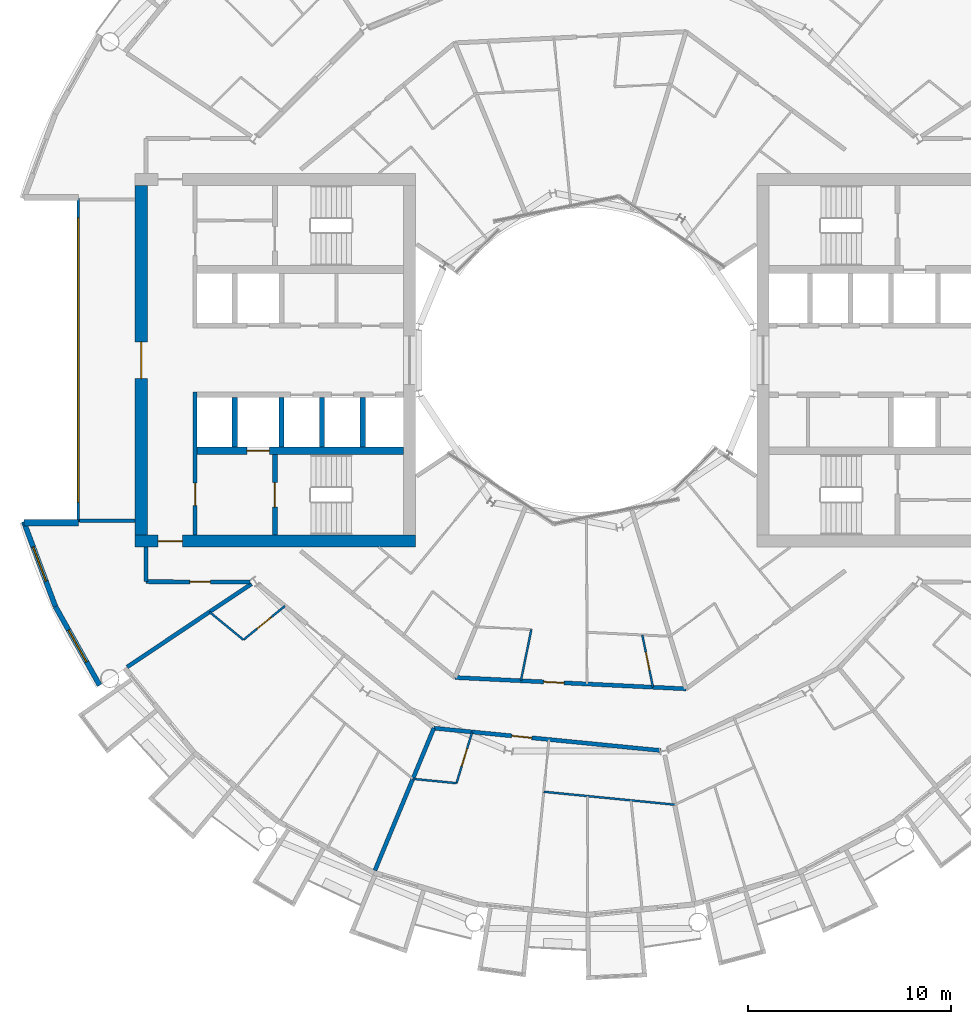
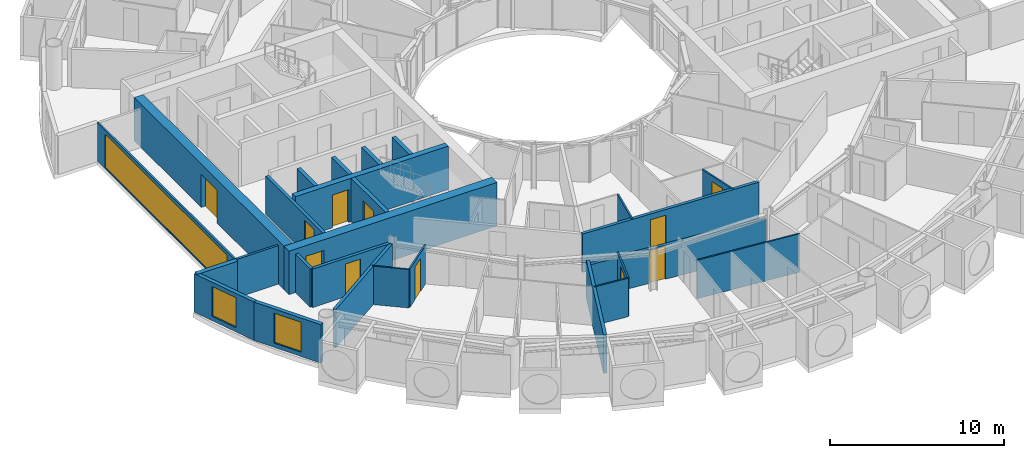
# One storey, part 15 of 27: 27 walls, 11 doors, 3 windows, 14 openings.
"""IFC4 building model written with IfcOpenShell, lengths in metres."""

import ifcopenshell
import ifcopenshell.guid

model = None  # the IFC model being written
_history = None  # IfcOwnerHistory: only IFC2X3 demands one
_inside = {}  # id of a spatial element -> (the spatial element, [elements in it])
_under = {}  # id of a project, library or spatial element -> (it, [spatial elements below it])
_declared = {}  # id of a project -> (the project, [libraries it declares])
_typed = {}  # id of a type object -> (the type object, [elements of that type])
_made_of = {}  # id of a material, layer set ... -> (it, [elements and type objects made of it])


def new_model(schema):
    """Start an empty IFC model of exactly this schema.

    Asked for "IFC4X3", IfcOpenShell would pick the latest addendum, in which some entities
    have other attributes; the version numbers below select the first issue.
    IFC2X3 requires an IfcOwnerHistory on every rooted entity: one is made here for all.
    """
    global model, _history
    if schema == "IFC4X3":
        model = ifcopenshell.file(schema_version=(4, 3, 0, 0))
    else:
        model = ifcopenshell.file(schema=schema)
    _inside.clear()
    _under.clear()
    _declared.clear()
    _typed.clear()
    _made_of.clear()
    _history = None
    if model.schema == "IFC2X3":
        org = make("IfcOrganization", Name="unknown")
        user = make(
            "IfcPersonAndOrganization",
            ThePerson=make("IfcPerson", FamilyName="unknown"),
            TheOrganization=org,
        )
        app = make(
            "IfcApplication",
            ApplicationDeveloper=org,
            Version="unknown",
            ApplicationFullName="unknown",
            ApplicationIdentifier="unknown",
        )
        _history = make(
            "IfcOwnerHistory",
            OwningUser=user,
            OwningApplication=app,
            ChangeAction="ADDED",
            CreationDate=0,
        )
    return model


def make(cls, **values):
    """One entity of the class cls with the attributes given. An attribute that is None is left unset."""
    return model.create_entity(
        cls, **{name: value for name, value in values.items() if value is not None}
    )


def rooted(cls, **values):
    """An entity with a GlobalId (a new one), such as an element, a storey or a relation."""
    return make(cls, GlobalId=ifcopenshell.guid.new(), OwnerHistory=_history, **values)


def si_unit(unit_type, name, prefix=None):
    """IfcSIUnit, for example si_unit("LENGTHUNIT", "METRE", prefix="MILLI")."""
    return make("IfcSIUnit", UnitType=unit_type, Prefix=prefix, Name=name)


def assignment(units):
    """IfcUnitAssignment: the units of a project."""
    return None if units is None else make("IfcUnitAssignment", Units=units)


def point(xyz):
    """IfcCartesianPoint."""
    return None if xyz is None else make("IfcCartesianPoint", Coordinates=xyz)


def direction(xyz):
    """IfcDirection."""
    return None if xyz is None else make("IfcDirection", DirectionRatios=xyz)


def frame(location, z_axis=None, x_axis=None):
    """IfcAxis2Placement3D, a coordinate frame: its origin and axes. An axis left out is left unset."""
    return make(
        "IfcAxis2Placement3D",
        Location=point(location),
        Axis=direction(z_axis),
        RefDirection=direction(x_axis),
    )


def frame_2d(location, x_axis=None):
    """IfcAxis2Placement2D, a coordinate frame in the plane: its origin and x axis."""
    return make(
        "IfcAxis2Placement2D", Location=point(location), RefDirection=direction(x_axis)
    )


def origin():
    """The frame at (0, 0, 0) with its axes left unset."""
    return frame((0.0, 0.0, 0.0))


def place(relative_to, where):
    """IfcLocalPlacement: puts the frame where relative to a parent placement (None: the world)."""
    return make(
        "IfcLocalPlacement", PlacementRelTo=relative_to, RelativePlacement=where
    )


def context(
    kind, dimensions, precision=None, world=None, true_north=None, identifier=None
):
    """IfcGeometricRepresentationContext, for example the 3D "Model" context."""
    return make(
        "IfcGeometricRepresentationContext",
        ContextIdentifier=identifier,
        ContextType=kind,
        CoordinateSpaceDimension=dimensions,
        Precision=precision,
        WorldCoordinateSystem=world,
        TrueNorth=true_north,
    )


def subcontext(parent, identifier, kind, view, scale=None):
    """IfcGeometricRepresentationSubContext, for example "Body" below "Model"."""
    return make(
        "IfcGeometricRepresentationSubContext",
        ContextIdentifier=identifier,
        ContextType=kind,
        ParentContext=parent,
        TargetScale=scale,
        TargetView=view,
    )


def project(units=None, contexts=None):
    """IfcProject with its units and contexts."""
    return rooted(
        "IfcProject",
        Name="project",
        RepresentationContexts=contexts,
        UnitsInContext=assignment(units),
    )


def spatial(cls, under=None, at=None, **own):
    """A site, building, storey or space (cls), placed at a placement, below another one or the project."""
    s = rooted(cls, ObjectPlacement=at, **own)
    if under is not None:
        _under.setdefault(under.id(), (under, []))[1].append(s)
    return s


def profile(cls, at=None, kind="AREA", **sizes):
    """A parametric profile (cls). Its sizes go by their IFC names, for example OverallWidth=200.0."""
    return make(cls, ProfileType=kind, Position=at, **sizes)


def rectangle(**sizes):
    """IfcRectangleProfileDef."""
    return profile("IfcRectangleProfileDef", **sizes)


def extrude(swept, where, along, depth):
    """IfcExtrudedAreaSolid: the profile swept, set in the frame where, extruded along a direction by depth."""
    return make(
        "IfcExtrudedAreaSolid",
        SweptArea=swept,
        Position=where,
        ExtrudedDirection=direction(along),
        Depth=depth,
    )


def shape(context_of_items, identifier, shape_type, items):
    """IfcShapeRepresentation: the items that make up one representation, for example the "Body"."""
    return make(
        "IfcShapeRepresentation",
        ContextOfItems=context_of_items,
        RepresentationIdentifier=identifier,
        RepresentationType=shape_type,
        Items=items,
    )


def material(Name=None, Category=None):
    """IfcMaterial."""
    return make("IfcMaterial", Name=Name, Category=Category)


def layer(
    of_material, thickness, ventilated=None, Name=None, Category=None, Priority=None
):
    """IfcMaterialLayer: one layer of a wall or slab, of a material (None: an air gap)."""
    return make(
        "IfcMaterialLayer",
        Material=of_material,
        LayerThickness=thickness,
        IsVentilated=ventilated,
        Name=Name,
        Category=Category,
        Priority=Priority,
    )


def layer_set(layers, Name=None):
    """IfcMaterialLayerSet."""
    return make("IfcMaterialLayerSet", MaterialLayers=layers, LayerSetName=Name)


def made_of(thing, what):
    """Note that an element or type object is made of a material, layer set ...; save() writes the relation."""
    if what is not None:
        _made_of.setdefault(what.id(), (what, []))[1].append(thing)
    return thing


def type_object(cls, material=None, **own):
    """A type object (cls), such as IfcWallType, which elements share."""
    return made_of(rooted(cls, **own), material)


def element(
    cls,
    number,
    at=None,
    inside=None,
    cuts=None,
    type_object=None,
    material=None,
    context=None,
    identifier="Body",
    shape_type=None,
    held_by="IfcProductDefinitionShape",
    body=None,
    shapes=None,
    **own,
):
    """One element of the class cls, such as IfcWall. Its Tag is "e" and its number.

    at: its placement. inside: the storey or other place that contains it. cuts: it is an
    opening in that element (IfcRelVoidsElement). A single representation is given by context,
    identifier, shape_type and body (its items); several are given by shapes. held_by: the class
    of the entity that holds the representations. save() writes the other relations.
    """
    e = rooted(cls, Tag="e%d" % number, ObjectPlacement=at, **own)
    if body is not None:
        shapes = [shape(context, identifier, shape_type, body)]
    if shapes is not None:
        e.Representation = make(held_by, Representations=shapes)
    if inside is not None:
        _inside.setdefault(inside.id(), (inside, []))[1].append(e)
    if cuts is not None:
        rooted(
            "IfcRelVoidsElement", RelatingBuildingElement=cuts, RelatedOpeningElement=e
        )
    if type_object is not None:
        _typed.setdefault(type_object.id(), (type_object, []))[1].append(e)
    return made_of(e, material)


def fill(opening, filler):
    """IfcRelFillsElement: the door or window that sits in an opening."""
    return rooted(
        "IfcRelFillsElement",
        RelatingOpeningElement=opening,
        RelatedBuildingElement=filler,
    )


def aggregate(whole, parts):
    """IfcRelAggregates: a whole, such as a stair, and the parts it consists of."""
    return rooted("IfcRelAggregates", RelatingObject=whole, RelatedObjects=parts)


def save(model, path):
    """Write the relations noted so far, then the file.

    IfcRelAggregates (storeys below a building ...), IfcRelContainedInSpatialStructure (elements
    in a storey), IfcRelDefinesByType, IfcRelAssociatesMaterial and IfcRelDeclares: one each for
    every whole, place, type object, material and project.
    """
    for whole, parts in _under.values():
        aggregate(whole, parts)
    for where, things in _inside.values():
        rooted(
            "IfcRelContainedInSpatialStructure",
            RelatedElements=things,
            RelatingStructure=where,
        )
    for kind, things in _typed.values():
        rooted("IfcRelDefinesByType", RelatedObjects=things, RelatingType=kind)
    for what, things in _made_of.values():
        rooted("IfcRelAssociatesMaterial", RelatedObjects=things, RelatingMaterial=what)
    for by, libraries in _declared.values():
        rooted("IfcRelDeclares", RelatingContext=by, RelatedDefinitions=libraries)
    model.write(path)


model = new_model("IFC4")

# Units and contexts
model_context = context("Model", 3, precision=1e-05, world=origin(), true_north=direction((0.0, 1.0)))
body_context = subcontext(model_context, "Body", "Model", "MODEL_VIEW")
ifc_project = project(units=[si_unit("LENGTHUNIT", "METRE"), si_unit("AREAUNIT", "SQUARE_METRE"), si_unit("VOLUMEUNIT", "CUBIC_METRE"), si_unit("PLANEANGLEUNIT", "RADIAN"), si_unit("MASSUNIT", "GRAM", prefix="KILO")], contexts=[model_context])

# Site, building, storey
site_placement = place(None, origin())
site = spatial("IfcSite", under=ifc_project, at=site_placement, CompositionType="ELEMENT")
building_placement = place(site_placement, origin())
building = spatial("IfcBuilding", under=site, at=building_placement, Name="Maasbend Ring Residences", CompositionType="ELEMENT")
storey_placement = place(building_placement, frame((0.0, 0.0, 114.699951171875)))
storey = spatial("IfcBuildingStorey", under=building, at=storey_placement, Name="L32", CompositionType="ELEMENT", Elevation=114.699951171875)

# Wall, opening, door
ifc_material_1 = material(Name="Concrete C60/75", Category="concrete")
ifc_layer_1 = layer(ifc_material_1, 0.25)
ifc_layer_set_1 = layer_set([ifc_layer_1], Name="Concrete C60/75")
wall_type_1 = type_object("IfcWallType", Name="CORE WALL 250 C60/75", PredefinedType="SHEAR", material=ifc_layer_set_1)
wall_1_placement = place(storey_placement, frame((-15.324951171875, -4.64990234375, 0.0), z_axis=(0.0, 0.0, 1.0), x_axis=(0.0, -1.0, 0.0)))
wall_1 = element("IfcWall", 1, at=wall_1_placement, inside=storey, type_object=wall_type_1, Name="L32 core W wall STEN", PredefinedType="SHEAR", context=body_context, shape_type="SweptSolid", body=[
    extrude(rectangle(XDim=3.9501953125, YDim=0.25, at=frame_2d((1.97509765625, 0.0))), origin(), (0.0, 0.0, 1.0), 3.050048828125),
])
opening_1_placement = place(wall_1_placement, frame((1.375, 0.0, 0.0)))
opening_1 = element("IfcOpeningElement", 2, at=opening_1_placement, cuts=wall_1, Name="Opening D-W3209", PredefinedType="OPENING", context=body_context, shape_type="SweptSolid", body=[
    extrude(rectangle(XDim=1.199951171875, YDim=2.300048828125, at=frame_2d((0.60009765625, 1.14990234375))), frame((0.0, 0.135009765625, 0.0), z_axis=(0.0, -1.0, 0.0), x_axis=(1.0, 0.0, 0.0)), (0.0, 0.0, 1.0), 0.27001953125),
])
ifc_material_2 = material(Name="Steel, powder coated", Category="steel")
door_type_1 = type_object("IfcDoorType", Name="STAIR DOOR 1200 X 2300 FD60", OperationType="NOTDEFINED", PredefinedType="DOOR", material=ifc_material_2)
door_1_placement = place(opening_1_placement, origin())
door_1 = element("IfcDoor", 3, at=door_1_placement, inside=storey, type_object=door_type_1, Name="Stair door ST-W L32", OperationType="SINGLE_SWING_LEFT", OverallHeight=2.300048828125, OverallWidth=1.199951171875, PredefinedType="DOOR", context=body_context, shape_type="SweptSolid", body=[
    extrude(rectangle(XDim=1.199951171875, YDim=2.300048828125, at=frame_2d((0.60009765625, 1.14990234375))), frame((0.0, 0.02490234375, 0.0), z_axis=(0.0, -1.0, 0.0), x_axis=(1.0, 0.0, 0.0)), (0.0, 0.0, 1.0), 0.050048828125),
])
fill(opening_1, door_1)

ifc_material_3 = material(Name="Concrete C60/75", Category="concrete")
ifc_layer_2 = layer(ifc_material_3, 0.375)
ifc_layer_set_2 = layer_set([ifc_layer_2], Name="Concrete C60/75")
wall_type_2 = type_object("IfcWallType", Name="CORE WALL 375 C60/75", PredefinedType="SHEAR", material=ifc_layer_set_2)
wall_2_placement = place(storey_placement, frame((-9.0, -4.46240234375, 0.0), z_axis=(0.0, 0.0, 1.0), x_axis=(-1.0, 0.0, 0.0)))
wall_2 = element("IfcWall", 4, at=wall_2_placement, inside=storey, type_object=wall_type_2, Name="L32 core W wall BN", PredefinedType="SHEAR", context=body_context, shape_type="SweptSolid", body=[
    extrude(rectangle(XDim=10.14990234375, YDim=0.375, at=frame_2d((5.074951171875, 0.0))), origin(), (0.0, 0.0, 1.0), 3.050048828125),
])
opening_2_placement = place(wall_2_placement, frame((6.60009765625, 0.0, 0.0)))
opening_2 = element("IfcOpeningElement", 5, at=opening_2_placement, cuts=wall_2, Name="Opening LD-W3204", PredefinedType="OPENING", context=body_context, shape_type="SweptSolid", body=[
    extrude(rectangle(XDim=1.10009765625, YDim=2.300048828125, at=frame_2d((0.550048828125, 1.14990234375))), frame((0.0, 0.197509765625, 0.0), z_axis=(0.0, -1.0, 0.0), x_axis=(1.0, 0.0, 0.0)), (0.0, 0.0, 1.0), 0.39501953125),
])
ifc_material_4 = material(Name="Stainless steel 316", Category="steel")
door_type_2 = type_object("IfcDoorType", Name="LANDING DOOR 1100 X 2300 FD60", OperationType="DOUBLE_DOOR_SLIDING", PredefinedType="DOOR", material=ifc_material_4)
door_2_placement = place(opening_2_placement, origin())
door_2 = element("IfcDoor", 6, at=door_2_placement, inside=storey, type_object=door_type_2, Name="Landing door FF-W L32", OperationType="DOUBLE_DOOR_SLIDING", OverallHeight=2.300048828125, OverallWidth=1.10009765625, PredefinedType="DOOR", context=body_context, shape_type="SweptSolid", body=[
    extrude(rectangle(XDim=1.10009765625, YDim=2.300048828125, at=frame_2d((0.550048828125, 1.14990234375))), frame((0.0, 0.02490234375, 0.0), z_axis=(0.0, -1.0, 0.0), x_axis=(1.0, 0.0, 0.0)), (0.0, 0.0, 1.0), 0.050048828125),
])
fill(opening_2, door_2)

ifc_material_5 = material(Name="Concrete C60/75", Category="concrete")
ifc_layer_3 = layer(ifc_material_5, 0.60009765625)
ifc_layer_set_3 = layer_set([ifc_layer_3], Name="Concrete C60/75")
wall_type_3 = type_object("IfcWallType", Name="CORE WALL 600 C60/75", PredefinedType="SHEAR", material=ifc_layer_set_3)
wall_3_placement = place(storey_placement, frame((-22.199951171875, -8.89990234375, 0.0), z_axis=(0.0, 0.0, 1.0), x_axis=(1.0, 0.0, 0.0)))
wall_3 = element("IfcWall", 7, at=wall_3_placement, inside=storey, type_object=wall_type_3, Name="L32 core W wall PN", PredefinedType="SHEAR", context=body_context, shape_type="SweptSolid", body=[
    extrude(rectangle(XDim=13.800048828125, YDim=0.60009765625, at=frame_2d((6.89990234375, 0.0))), origin(), (0.0, 0.0, 1.0), 3.050048828125),
])
opening_3_placement = place(wall_3_placement, frame((1.125, 0.0, 0.0)))
opening_3 = element("IfcOpeningElement", 8, at=opening_3_placement, cuts=wall_3, Name="Opening D-W3213", PredefinedType="OPENING", context=body_context, shape_type="SweptSolid", body=[
    extrude(rectangle(XDim=1.199951171875, YDim=2.300048828125, at=frame_2d((0.60009765625, 1.14990234375))), frame((0.0, 0.31005859375, 0.0), z_axis=(0.0, -1.0, 0.0), x_axis=(1.0, 0.0, 0.0)), (0.0, 0.0, 1.0), 0.6201171875),
])
ifc_material_6 = material(Name="Steel, powder coated", Category="steel")
door_type_3 = type_object("IfcDoorType", Name="CORRIDOR DOOR 1200 X 2300 FD30S", OperationType="NOTDEFINED", PredefinedType="DOOR", material=ifc_material_6)
door_3_placement = place(opening_3_placement, origin())
door_3 = element("IfcDoor", 9, at=door_3_placement, inside=storey, type_object=door_type_3, Name="Corridor door L32", OperationType="SINGLE_SWING_RIGHT", OverallHeight=2.300048828125, OverallWidth=1.199951171875, PredefinedType="DOOR", context=body_context, shape_type="SweptSolid", body=[
    extrude(rectangle(XDim=1.199951171875, YDim=2.300048828125, at=frame_2d((0.60009765625, 1.14990234375))), frame((0.0, 0.02490234375, 0.0), z_axis=(0.0, -1.0, 0.0), x_axis=(1.0, 0.0, 0.0)), (0.0, 0.0, 1.0), 0.050048828125),
])
fill(opening_3, door_3)

wall_4_placement = place(storey_placement, frame((-21.89990234375, -8.60009765625, 0.0), z_axis=(0.0, 0.0, 1.0), x_axis=(0.0, 1.0, 0.0)))
wall_4 = element("IfcWall", 10, at=wall_4_placement, inside=storey, type_object=wall_type_3, Name="L32 core W wall POUT", PredefinedType="SHEAR", context=body_context, shape_type="SweptSolid", body=[
    extrude(rectangle(XDim=17.2001953125, YDim=0.60009765625, at=frame_2d((8.60009765625, 0.0))), origin(), (0.0, 0.0, 1.0), 3.050048828125),
])
opening_4_placement = place(wall_4_placement, frame((7.699951171875, 0.0, 0.0)))
opening_4 = element("IfcOpeningElement", 11, at=opening_4_placement, cuts=wall_4, Name="Opening D-W3215", PredefinedType="OPENING", context=body_context, shape_type="SweptSolid", body=[
    extrude(rectangle(XDim=1.800048828125, YDim=2.300048828125, at=frame_2d((0.89990234375, 1.14990234375))), frame((0.0, 0.31005859375, 0.0), z_axis=(0.0, -1.0, 0.0), x_axis=(1.0, 0.0, 0.0)), (0.0, 0.0, 1.0), 0.6201171875),
])
ifc_material_7 = material(Name="Aluminium frame, clear glass", Category="aluminium")
door_type_4 = type_object("IfcDoorType", Name="ENTRANCE DOOR 1800 X 2300 FD60", OperationType="NOTDEFINED", PredefinedType="DOOR", material=ifc_material_7)
door_4_placement = place(opening_4_placement, origin())
door_4 = element("IfcDoor", 12, at=door_4_placement, inside=storey, type_object=door_type_4, Name="Lobby glazed door L32", OperationType="SINGLE_SWING_LEFT", OverallHeight=2.300048828125, OverallWidth=1.800048828125, PredefinedType="DOOR", context=body_context, shape_type="SweptSolid", body=[
    extrude(rectangle(XDim=1.800048828125, YDim=2.300048828125, at=frame_2d((0.89990234375, 1.14990234375))), frame((0.0, 0.02490234375, 0.0), z_axis=(0.0, -1.0, 0.0), x_axis=(1.0, 0.0, 0.0)), (0.0, 0.0, 1.0), 0.050048828125),
])
fill(opening_4, door_4)

ifc_material_8 = material(Name="Concrete C30/37", Category="concrete")
ifc_layer_4 = layer(ifc_material_8, 0.199951171875)
ifc_layer_set_4 = layer_set([ifc_layer_4], Name="Concrete C30/37")
wall_type_4 = type_object("IfcWallType", Name="CORRIDOR WALL 200 CONCRETE", PredefinedType="PARTITIONING", material=ifc_layer_set_4)
wall_5_placement = place(storey_placement, frame((-7.5009765625, -18.10791015625, 0.0), z_axis=(0.0, 0.0, 1.0), x_axis=(0.995189414306, -0.097969534313, 0.0)))
wall_5 = element("IfcWall", 13, at=wall_5_placement, inside=storey, type_object=wall_type_4, Name="U-L32-w014", PredefinedType="PARTITIONING", context=body_context, shape_type="SweptSolid", body=[
    extrude(rectangle(XDim=11.218994140625, YDim=0.199951171875, at=frame_2d((5.609375, 0.0))), origin(), (0.0, 0.0, 1.0), 2.39013671875),
])
opening_5_placement = place(wall_5_placement, frame((3.846923828125, 0.0, 0.0)))
opening_5 = element("IfcOpeningElement", 14, at=opening_5_placement, cuts=wall_5, Name="Opening D-3240", PredefinedType="OPENING", context=body_context, shape_type="SweptSolid", body=[
    extrude(rectangle(XDim=1.0, YDim=2.300048828125, at=frame_2d((0.5, 1.14990234375))), frame((0.0, 0.10986328125, 0.0), z_axis=(0.0, -1.0, 0.0), x_axis=(1.0, 0.0, 0.0)), (0.0, 0.0, 1.0), 0.219970703125),
])
ifc_material_9 = material(Name="Timber, fire-rated, painted", Category="wood")
door_type_5 = type_object("IfcDoorType", Name="FLAT ENTRANCE DOOR 1000 X 2300 FIRE-RATED", OperationType="NOTDEFINED", PredefinedType="DOOR", material=ifc_material_9)
door_5_placement = place(opening_5_placement, origin())
door_5 = element("IfcDoor", 15, at=door_5_placement, inside=storey, type_object=door_type_5, Name="D-3240", OperationType="SINGLE_SWING_LEFT", OverallHeight=2.300048828125, OverallWidth=1.0, PredefinedType="DOOR", context=body_context, shape_type="SweptSolid", body=[
    extrude(rectangle(XDim=1.0, YDim=2.300048828125, at=frame_2d((0.5, 1.14990234375))), frame((0.0, 0.02490234375, 0.0), z_axis=(0.0, -1.0, 0.0), x_axis=(1.0, 0.0, 0.0)), (0.0, 0.0, 1.0), 0.050048828125),
])
fill(opening_5, door_5)

wall_6_placement = place(storey_placement, frame((-6.467041015625, -15.614990234375, 0.0), z_axis=(0.0, 0.0, 1.0), x_axis=(0.998803328932, -0.048907158111, 0.0)))
wall_6 = element("IfcWall", 16, at=wall_6_placement, inside=storey, type_object=wall_type_4, Name="U-L32-w016", PredefinedType="PARTITIONING", context=body_context, shape_type="SweptSolid", body=[
    extrude(rectangle(XDim=11.3916015625, YDim=0.199951171875, at=frame_2d((5.69580078125, 0.0))), origin(), (0.0, 0.0, 1.0), 2.699951171875),
])
opening_6_placement = place(wall_6_placement, frame((4.381103515625, 0.0, 0.0)))
opening_6 = element("IfcOpeningElement", 17, at=opening_6_placement, cuts=wall_6, Name="Opening D-3258", PredefinedType="OPENING", context=body_context, shape_type="SweptSolid", body=[
    extrude(rectangle(XDim=1.0, YDim=2.300048828125, at=frame_2d((0.5, 1.14990234375))), frame((0.0, 0.10986328125, 0.0), z_axis=(0.0, -1.0, 0.0), x_axis=(1.0, 0.0, 0.0)), (0.0, 0.0, 1.0), 0.219970703125),
])
door_6_placement = place(opening_6_placement, origin())
door_6 = element("IfcDoor", 18, at=door_6_placement, inside=storey, type_object=door_type_5, Name="D-3258", OperationType="SINGLE_SWING_LEFT", OverallHeight=2.300048828125, OverallWidth=1.0, PredefinedType="DOOR", context=body_context, shape_type="SweptSolid", body=[
    extrude(rectangle(XDim=1.0, YDim=2.300048828125, at=frame_2d((0.5, 1.14990234375))), frame((0.0, 0.02490234375, 0.0), z_axis=(0.0, -1.0, 0.0), x_axis=(1.0, 0.0, 0.0)), (0.0, 0.0, 1.0), 0.050048828125),
])
fill(opening_6, door_6)

wall_7_placement = place(storey_placement, frame((-21.675048828125, -10.89990234375, 0.0), z_axis=(0.0, 0.0, 1.0), x_axis=(0.99999670426, -0.002567385634, 0.0)))
wall_7 = element("IfcWall", 19, at=wall_7_placement, inside=storey, type_object=wall_type_4, Name="U-L32-w024", PredefinedType="PARTITIONING", context=body_context, shape_type="SweptSolid", body=[
    extrude(rectangle(XDim=5.135009765625, YDim=0.199951171875, at=frame_2d((2.5673828125, 0.0))), origin(), (0.0, 0.0, 1.0), 2.699951171875),
])
opening_7_placement = place(wall_7_placement, frame((2.1708984375, 0.0, 0.0)))
opening_7 = element("IfcOpeningElement", 20, at=opening_7_placement, cuts=wall_7, Name="Opening D-3267", PredefinedType="OPENING", context=body_context, shape_type="SweptSolid", body=[
    extrude(rectangle(XDim=1.0, YDim=2.300048828125, at=frame_2d((0.5, 1.14990234375))), frame((0.0, 0.10986328125, 0.0), z_axis=(0.0, -1.0, 0.0), x_axis=(1.0, 0.0, 0.0)), (0.0, 0.0, 1.0), 0.219970703125),
])
ifc_material_10 = material(Name="Timber, painted", Category="wood")
door_type_6 = type_object("IfcDoorType", Name="ROOM DOOR 1000 X 2300", OperationType="NOTDEFINED", PredefinedType="DOOR", material=ifc_material_10)
door_7_placement = place(opening_7_placement, origin())
door_7 = element("IfcDoor", 21, at=door_7_placement, inside=storey, type_object=door_type_6, Name="D-3267", OperationType="SINGLE_SWING_RIGHT", OverallHeight=2.300048828125, OverallWidth=1.0, PredefinedType="DOOR", context=body_context, shape_type="SweptSolid", body=[
    extrude(rectangle(XDim=1.0, YDim=2.300048828125, at=frame_2d((0.5, 1.14990234375))), frame((0.0, 0.02490234375, 0.0), z_axis=(0.0, -1.0, 0.0), x_axis=(1.0, 0.0, 0.0)), (0.0, 0.0, 1.0), 0.050048828125),
])
fill(opening_7, door_7)

# Wall
wall_8_placement = place(storey_placement, frame((-21.675048828125, -10.89990234375, 0.0), z_axis=(0.0, 0.0, 1.0), x_axis=(0.0, 1.0, 0.0)))
element("IfcWall", 22, at=wall_8_placement, inside=storey, type_object=wall_type_4, Name="U-L32-w107", PredefinedType="PARTITIONING", context=body_context, shape_type="SweptSolid", body=[
    extrude(rectangle(XDim=1.699951171875, YDim=0.199951171875, at=frame_2d((0.85009765625, 0.0))), origin(), (0.0, 0.0, 1.0), 2.699951171875),
])

# Wall, opening, window
ifc_material_11 = material(Name="Aluminium clad insulated panel", Category="aluminium")
ifc_layer_5 = layer(ifc_material_11, 0.25)
ifc_layer_set_5 = layer_set([ifc_layer_5], Name="EW-HORN")
wall_type_5 = type_object("IfcWallType", Name="EW-HORN", PredefinedType="SOLIDWALL", material=ifc_layer_set_5)
wall_9_placement = place(storey_placement, frame((-27.681884765625, -7.945068359375, 0.0), z_axis=(0.0, 0.0, 1.0), x_axis=(0.349247811493, -0.937030397675, 0.0)))
wall_9 = element("IfcWall", 23, at=wall_9_placement, inside=storey, type_object=wall_type_5, Name="Horn wall 3.1", PredefinedType="SOLIDWALL", context=body_context, shape_type="SweptSolid", body=[
    extrude(rectangle(XDim=4.4521484375, YDim=0.25, at=frame_2d((2.22607421875, 0.0))), origin(), (0.0, 0.0, 1.0), 2.699951171875),
])
opening_8_placement = place(wall_9_placement, frame((1.32666015625, 0.0, 0.300048828125)))
opening_8 = element("IfcOpeningElement", 24, at=opening_8_placement, cuts=wall_9, Name="Opening W-BX", PredefinedType="OPENING", context=body_context, shape_type="SweptSolid", body=[
    extrude(rectangle(XDim=1.800048828125, YDim=2.10009765625, at=frame_2d((0.89990234375, 1.050048828125))), frame((0.0, 0.135009765625, 0.0), z_axis=(0.0, -1.0, 0.0), x_axis=(1.0, 0.0, 0.0)), (0.0, 0.0, 1.0), 0.27001953125),
])
ifc_material_12 = material(Name="Aluminium and clear glass", Category="aluminium")
window_type_1 = type_object("IfcWindowType", Name="W-BX", PartitioningType="DOUBLE_PANEL_VERTICAL", PredefinedType="WINDOW", material=ifc_material_12)
window_1_placement = place(opening_8_placement, origin())
window_1 = element("IfcWindow", 25, at=window_1_placement, inside=storey, type_object=window_type_1, Name="Horn window 3.1", OverallHeight=2.10009765625, OverallWidth=1.800048828125, PartitioningType="SINGLE_PANEL", PredefinedType="WINDOW", context=body_context, shape_type="SweptSolid", body=[
    extrude(rectangle(XDim=1.800048828125, YDim=2.10009765625, at=frame_2d((0.89990234375, 1.050048828125))), frame((0.0, 0.030029296875, 0.0), z_axis=(0.0, -1.0, 0.0), x_axis=(1.0, 0.0, 0.0)), (0.0, 0.0, 1.0), 0.06005859375),
])
fill(opening_8, window_1)

wall_10_placement = place(storey_placement, frame((-26.126953125, -12.116943359375, 0.0), z_axis=(0.0, 0.0, 1.0), x_axis=(0.489696356642, -0.871893042919, 0.0)))
wall_10 = element("IfcWall", 26, at=wall_10_placement, inside=storey, type_object=wall_type_5, Name="Horn wall 3.2", PredefinedType="SOLIDWALL", context=body_context, shape_type="SweptSolid", body=[
    extrude(rectangle(XDim=4.45361328125, YDim=0.25, at=frame_2d((2.226806640625, 0.0))), origin(), (0.0, 0.0, 1.0), 2.699951171875),
])
opening_9_placement = place(wall_10_placement, frame((1.32666015625, 0.0, 0.300048828125)))
opening_9 = element("IfcOpeningElement", 27, at=opening_9_placement, cuts=wall_10, Name="Opening W-BX", PredefinedType="OPENING", context=body_context, shape_type="SweptSolid", body=[
    extrude(rectangle(XDim=1.800048828125, YDim=2.10009765625, at=frame_2d((0.89990234375, 1.050048828125))), frame((0.0, 0.135009765625, 0.0), z_axis=(0.0, -1.0, 0.0), x_axis=(1.0, 0.0, 0.0)), (0.0, 0.0, 1.0), 0.27001953125),
])
window_2_placement = place(opening_9_placement, origin())
window_2 = element("IfcWindow", 28, at=window_2_placement, inside=storey, type_object=window_type_1, Name="Horn window 3.2", OverallHeight=2.10009765625, OverallWidth=1.800048828125, PartitioningType="SINGLE_PANEL", PredefinedType="WINDOW", context=body_context, shape_type="SweptSolid", body=[
    extrude(rectangle(XDim=1.800048828125, YDim=2.10009765625, at=frame_2d((0.89990234375, 1.050048828125))), frame((0.0, 0.030029296875, 0.0), z_axis=(0.0, -1.0, 0.0), x_axis=(1.0, 0.0, 0.0)), (0.0, 0.0, 1.0), 0.06005859375),
])
fill(opening_9, window_2)

# Wall
ifc_material_13 = material(Name="Aluminium clad insulated panel", Category="aluminium")
ifc_layer_6 = layer(ifc_material_13, 0.300048828125)
ifc_layer_set_6 = layer_set([ifc_layer_6], Name="EW-RET")
wall_type_6 = type_object("IfcWallType", Name="EW-RET", PredefinedType="SOLIDWALL", material=ifc_layer_set_6)
wall_11_placement = place(storey_placement, frame((-25.0, -8.0, 0.0), z_axis=(0.0, 0.0, 1.0), x_axis=(-1.0, 0.0, 0.0)))
element("IfcWall", 29, at=wall_11_placement, inside=storey, type_object=wall_type_6, Name="Notch return wall west south", PredefinedType="SOLIDWALL", context=body_context, shape_type="SweptSolid", body=[
    extrude(rectangle(XDim=2.6669921875, YDim=0.300048828125, at=frame_2d((1.33349609375, 0.0))), origin(), (0.0, 0.0, 1.0), 2.699951171875),
])

# Wall, opening, window
ifc_material_14 = material(Name="Aluminium frame and clear glass", Category="aluminium")
ifc_layer_7 = layer(ifc_material_14, 0.1201171875)
ifc_layer_set_7 = layer_set([ifc_layer_7], Name="GLAZED SCREEN WALL 120 EI 60")
wall_type_7 = type_object("IfcWallType", Name="GLAZED SCREEN WALL 120 EI 60", PredefinedType="PARTITIONING", material=ifc_layer_set_7)
wall_12_placement = place(storey_placement, frame((-25.0, 7.949951171875, 0.0), z_axis=(0.0, 0.0, 1.0), x_axis=(0.0, -1.0, 0.0)))
wall_12 = element("IfcWall", 30, at=wall_12_placement, inside=storey, type_object=wall_type_7, Name="L32 core W wall FACE", PredefinedType="PARTITIONING", context=body_context, shape_type="SweptSolid", body=[
    extrude(rectangle(XDim=15.89990234375, YDim=0.1201171875, at=frame_2d((7.949951171875, 0.0))), origin(), (0.0, 0.0, 1.0), 2.699951171875),
])
opening_10_placement = place(wall_12_placement, frame((0.949951171875, 0.0, 0.10009765625)))
opening_10 = element("IfcOpeningElement", 31, at=opening_10_placement, cuts=wall_12, Name="Opening W-W3202", PredefinedType="OPENING", context=body_context, shape_type="SweptSolid", body=[
    extrude(rectangle(XDim=14.0, YDim=2.35009765625, at=frame_2d((7.0, 1.175048828125))), frame((0.0, 0.070068359375, 0.0), z_axis=(0.0, -1.0, 0.0), x_axis=(1.0, 0.0, 0.0)), (0.0, 0.0, 1.0), 0.14013671875),
])
ifc_material_15 = material(Name="Aluminium frame and clear glass", Category="aluminium")
window_type_2 = type_object("IfcWindowType", Name="FIXED WINDOW 14000 X 2350", PartitioningType="SINGLE_PANEL", PredefinedType="WINDOW", material=ifc_material_15)
window_3_placement = place(opening_10_placement, origin())
window_3 = element("IfcWindow", 32, at=window_3_placement, inside=storey, type_object=window_type_2, Name="Lobby window L32", OverallHeight=2.35009765625, OverallWidth=14.0, PartitioningType="SINGLE_PANEL", PredefinedType="WINDOW", context=body_context, shape_type="SweptSolid", body=[
    extrude(rectangle(XDim=14.0, YDim=2.35009765625, at=frame_2d((7.0, 1.175048828125))), frame((0.0, 0.030029296875, 0.0), z_axis=(0.0, -1.0, 0.0), x_axis=(1.0, 0.0, 0.0)), (0.0, 0.0, 1.0), 0.06005859375),
])
fill(opening_10, window_3)

# Walls
ifc_material_16 = material(Name="Gypsum board on steel studs", Category="steel")
ifc_layer_8 = layer(ifc_material_16, 0.10009765625)
ifc_layer_set_8 = layer_set([ifc_layer_8], Name="PARTITION 100 GYPSUM")
wall_type_8 = type_object("IfcWallType", Name="PARTITION 100 GYPSUM", PredefinedType="PARTITIONING", material=ifc_layer_set_8)
wall_13_placement = place(storey_placement, frame((-18.5419921875, -12.388916015625, 0.0), z_axis=(0.0, 0.0, 1.0), x_axis=(0.772948171844, -0.634469166818, 0.0)))
element("IfcWall", 33, at=wall_13_placement, inside=storey, type_object=wall_type_8, Name="U-L32-w007", PredefinedType="PARTITIONING", context=body_context, shape_type="SweptSolid", body=[
    extrude(rectangle(XDim=2.157958984375, YDim=0.10009765625, at=frame_2d((1.0791015625, 0.0))), origin(), (0.0, 0.0, 1.0), 2.699951171875),
])
wall_14_placement = place(storey_placement, frame((-8.541015625, -20.60107421875, 0.0), z_axis=(0.0, 0.0, 1.0), x_axis=(0.995168464509, -0.098182112661, 0.0)))
element("IfcWall", 34, at=wall_14_placement, inside=storey, type_object=wall_type_8, Name="U-L32-w009", PredefinedType="PARTITIONING", context=body_context, shape_type="SweptSolid", body=[
    extrude(rectangle(XDim=2.158447265625, YDim=0.10009765625, at=frame_2d((1.0791015625, 0.0))), origin(), (0.0, 0.0, 1.0), 2.699951171875),
])
wall_15_placement = place(storey_placement, frame((-2.092041015625, -21.237060546875, 0.0), z_axis=(0.0, 0.0, 1.0), x_axis=(0.995182772405, -0.098036980306, 0.0)))
element("IfcWall", 35, at=wall_15_placement, inside=storey, type_object=wall_type_8, Name="U-L32-w010", PredefinedType="PARTITIONING", context=body_context, shape_type="SweptSolid", body=[
    extrude(rectangle(XDim=6.477294921875, YDim=0.10009765625, at=frame_2d((3.23876953125, 0.0))), origin(), (0.0, 0.0, 1.0), 2.699951171875),
])

# Wall, opening, door
wall_16_placement = place(storey_placement, frame((-16.8720703125, -13.760986328125, 0.0), z_axis=(0.0, 0.0, 1.0), x_axis=(0.774979608522, 0.631986239072, 0.0)))
wall_16 = element("IfcWall", 36, at=wall_16_placement, inside=storey, type_object=wall_type_8, Name="U-L32-w035", PredefinedType="PARTITIONING", context=body_context, shape_type="SweptSolid", body=[
    extrude(rectangle(XDim=2.63623046875, YDim=0.10009765625, at=frame_2d((1.318115234375, 0.0))), origin(), (0.0, 0.0, 1.0), 2.699951171875),
])
opening_11_placement = place(wall_16_placement, frame((0.867919921875, 0.0, 0.0)))
opening_11 = element("IfcOpeningElement", 37, at=opening_11_placement, cuts=wall_16, Name="Opening D-3235", PredefinedType="OPENING", context=body_context, shape_type="SweptSolid", body=[
    extrude(rectangle(XDim=0.89990234375, YDim=2.300048828125, at=frame_2d((0.449951171875, 1.14990234375))), frame((0.0, 0.06005859375, 0.0), z_axis=(0.0, -1.0, 0.0), x_axis=(1.0, 0.0, 0.0)), (0.0, 0.0, 1.0), 0.1201171875),
])
ifc_material_17 = material(Name="Timber, painted", Category="wood")
door_type_7 = type_object("IfcDoorType", Name="INTERNAL DOOR 900 X 2300", OperationType="NOTDEFINED", PredefinedType="DOOR", material=ifc_material_17)
door_8_placement = place(opening_11_placement, origin())
door_8 = element("IfcDoor", 38, at=door_8_placement, inside=storey, type_object=door_type_7, Name="D-3235", OperationType="SINGLE_SWING_RIGHT", OverallHeight=2.300048828125, OverallWidth=0.89990234375, PredefinedType="DOOR", context=body_context, shape_type="SweptSolid", body=[
    extrude(rectangle(XDim=0.89990234375, YDim=2.300048828125, at=frame_2d((0.449951171875, 1.14990234375))), frame((0.0, 0.02490234375, 0.0), z_axis=(0.0, -1.0, 0.0), x_axis=(1.0, 0.0, 0.0)), (0.0, 0.0, 1.0), 0.050048828125),
])
fill(opening_11, door_8)

wall_17_placement = place(storey_placement, frame((-6.385986328125, -20.81396484375, 0.0), z_axis=(0.0, 0.0, 1.0), x_axis=(0.293239623814, 0.956038975683, 0.0)))
wall_17 = element("IfcWall", 39, at=wall_17_placement, inside=storey, type_object=wall_type_8, Name="U-L32-w050", PredefinedType="PARTITIONING", context=body_context, shape_type="SweptSolid", body=[
    extrude(rectangle(XDim=2.635986328125, YDim=0.10009765625, at=frame_2d((1.31787109375, 0.0))), origin(), (0.0, 0.0, 1.0), 2.699951171875),
])
opening_12_placement = place(wall_17_placement, frame((0.867919921875, 0.0, 0.0)))
opening_12 = element("IfcOpeningElement", 40, at=opening_12_placement, cuts=wall_17, Name="Opening D-3241", PredefinedType="OPENING", context=body_context, shape_type="SweptSolid", body=[
    extrude(rectangle(XDim=0.89990234375, YDim=2.300048828125, at=frame_2d((0.449951171875, 1.14990234375))), frame((0.0, 0.06005859375, 0.0), z_axis=(0.0, -1.0, 0.0), x_axis=(1.0, 0.0, 0.0)), (0.0, 0.0, 1.0), 0.1201171875),
])
door_9_placement = place(opening_12_placement, origin())
door_9 = element("IfcDoor", 41, at=door_9_placement, inside=storey, type_object=door_type_7, Name="D-3241", OperationType="SINGLE_SWING_LEFT", OverallHeight=2.300048828125, OverallWidth=0.89990234375, PredefinedType="DOOR", context=body_context, shape_type="SweptSolid", body=[
    extrude(rectangle(XDim=0.89990234375, YDim=2.300048828125, at=frame_2d((0.449951171875, 1.14990234375))), frame((0.0, 0.02490234375, 0.0), z_axis=(0.0, -1.0, 0.0), x_axis=(1.0, 0.0, 0.0)), (0.0, 0.0, 1.0), 0.050048828125),
])
fill(opening_12, door_9)

# Wall
wall_18_placement = place(storey_placement, frame((-3.218017578125, -15.77294921875, 0.0), z_axis=(0.0, 0.0, 1.0), x_axis=(0.199820523641, 0.979832515449, 0.0)))
element("IfcWall", 42, at=wall_18_placement, inside=storey, type_object=wall_type_8, Name="U-L32-w054", PredefinedType="PARTITIONING", context=body_context, shape_type="SweptSolid", body=[
    extrude(rectangle(XDim=2.57177734375, YDim=0.10009765625, at=frame_2d((1.285888671875, 0.0))), origin(), (0.0, 0.0, 1.0), 2.699951171875),
])

# Wall, opening, door
wall_19_placement = place(storey_placement, frame((2.757080078125, -13.52099609375, 0.0), z_axis=(0.0, 0.0, 1.0), x_axis=(0.199675621436, -0.979862054681, 0.0)))
wall_19 = element("IfcWall", 43, at=wall_19_placement, inside=storey, type_object=wall_type_8, Name="U-L32-w065", PredefinedType="PARTITIONING", context=body_context, shape_type="SweptSolid", body=[
    extrude(rectangle(XDim=2.623779296875, YDim=0.10009765625, at=frame_2d((1.31201171875, 0.0))), origin(), (0.0, 0.0, 1.0), 2.699951171875),
])
opening_13_placement = place(wall_19_placement, frame((0.862060546875, 0.0, 0.0)))
opening_13 = element("IfcOpeningElement", 44, at=opening_13_placement, cuts=wall_19, Name="Opening D-3261", PredefinedType="OPENING", context=body_context, shape_type="SweptSolid", body=[
    extrude(rectangle(XDim=0.89990234375, YDim=2.300048828125, at=frame_2d((0.449951171875, 1.14990234375))), frame((0.0, 0.06005859375, 0.0), z_axis=(0.0, -1.0, 0.0), x_axis=(1.0, 0.0, 0.0)), (0.0, 0.0, 1.0), 0.1201171875),
])
door_10_placement = place(opening_13_placement, origin())
door_10 = element("IfcDoor", 45, at=door_10_placement, inside=storey, type_object=door_type_7, Name="D-3261", OperationType="SINGLE_SWING_RIGHT", OverallHeight=2.300048828125, OverallWidth=0.89990234375, PredefinedType="DOOR", context=body_context, shape_type="SweptSolid", body=[
    extrude(rectangle(XDim=0.89990234375, YDim=2.300048828125, at=frame_2d((0.449951171875, 1.14990234375))), frame((0.0, 0.02490234375, 0.0), z_axis=(0.0, -1.0, 0.0), x_axis=(1.0, 0.0, 0.0)), (0.0, 0.0, 1.0), 0.050048828125),
])
fill(opening_13, door_10)

# Walls
ifc_material_18 = material(Name="Gypsum board on steel studs", Category="steel")
ifc_layer_9 = layer(ifc_material_18, 0.14990234375)
ifc_layer_set_9 = layer_set([ifc_layer_9], Name="PARTITION 150 EI 60")
wall_type_9 = type_object("IfcWallType", Name="PARTITION 150 EI 60", PredefinedType="PARTITIONING", material=ifc_layer_set_9)
wall_20_placement = place(storey_placement, frame((-22.199951171875, -7.89990234375, 0.0), z_axis=(0.0, 0.0, 1.0), x_axis=(-1.0, 0.0, 0.0)))
element("IfcWall", 46, at=wall_20_placement, inside=storey, type_object=wall_type_9, Name="L32 core W wall CITN", PredefinedType="PARTITIONING", context=body_context, shape_type="SweptSolid", body=[
    extrude(rectangle(XDim=2.739990234375, YDim=0.14990234375, at=frame_2d((1.3701171875, 0.0))), origin(), (0.0, 0.0, 1.0), 2.699951171875),
])
ifc_material_19 = material(Name="Concrete C30/37", Category="concrete")
ifc_layer_10 = layer(ifc_material_19, 0.199951171875)
ifc_layer_set_10 = layer_set([ifc_layer_10], Name="Concrete C30/37")
wall_type_10 = type_object("IfcWallType", Name="PARTY WALL 200 CONCRETE", PredefinedType="PARTITIONING", material=ifc_layer_set_10)
wall_21_placement = place(storey_placement, frame((-22.594970703125, -15.096923828125, 0.0), z_axis=(0.0, 0.0, 1.0), x_axis=(0.831467903109, 0.555572791, 0.0)))
element("IfcWall", 47, at=wall_21_placement, inside=storey, type_object=wall_type_10, Name="U-L32-w029", PredefinedType="PARTITIONING", context=body_context, shape_type="SweptSolid", body=[
    extrude(rectangle(XDim=7.35791015625, YDim=0.199951171875, at=frame_2d((3.678955078125, 0.0))), origin(), (0.0, 0.0, 1.0), 2.699951171875),
])
wall_22_placement = place(storey_placement, frame((-10.39892578125, -25.10595703125, 0.0), z_axis=(0.0, 0.0, 1.0), x_axis=(0.382600411313, 0.923913916587, 0.0)))
element("IfcWall", 48, at=wall_22_placement, inside=storey, type_object=wall_type_10, Name="U-L32-w042", PredefinedType="PARTITIONING", context=body_context, shape_type="SweptSolid", body=[
    extrude(rectangle(XDim=7.574462890625, YDim=0.199951171875, at=frame_2d((3.787109375, 0.0))), origin(), (0.0, 0.0, 1.0), 2.699951171875),
])

# Wall, opening, door
ifc_material_20 = material(Name="Concrete C30/37", Category="concrete")
ifc_layer_11 = layer(ifc_material_20, 0.199951171875)
ifc_layer_set_11 = layer_set([ifc_layer_11], Name="Concrete C30/37")
wall_type_11 = type_object("IfcWallType", Name="SHAFT WALL 200 EI 120", PredefinedType="SOLIDWALL", material=ifc_layer_set_11)
wall_23_placement = place(storey_placement, frame((-19.25, -1.574951171875, 0.0), z_axis=(0.0, 0.0, 1.0), x_axis=(0.0, -1.0, 0.0)))
wall_23 = element("IfcWall", 49, at=wall_23_placement, inside=storey, type_object=wall_type_11, Name="L32 core W wall ENDN", PredefinedType="SOLIDWALL", context=body_context, shape_type="SweptSolid", body=[
    extrude(rectangle(XDim=7.025146484375, YDim=0.199951171875, at=frame_2d((3.5126953125, 0.0))), origin(), (0.0, 0.0, 1.0), 2.699951171875),
])
opening_14_placement = place(wall_23_placement, frame((4.47509765625, 0.0, 0.0)))
opening_14 = element("IfcOpeningElement", 50, at=opening_14_placement, cuts=wall_23, Name="Opening D-W3211", PredefinedType="OPENING", context=body_context, shape_type="SweptSolid", body=[
    extrude(rectangle(XDim=1.10009765625, YDim=2.300048828125, at=frame_2d((0.550048828125, 1.14990234375))), frame((0.0, 0.10986328125, 0.0), z_axis=(0.0, -1.0, 0.0), x_axis=(1.0, 0.0, 0.0)), (0.0, 0.0, 1.0), 0.219970703125),
])
ifc_material_21 = material(Name="Steel, powder coated", Category="steel")
door_type_8 = type_object("IfcDoorType", Name="LOBBY DOOR 1100 X 2300 FD60", OperationType="NOTDEFINED", PredefinedType="DOOR", material=ifc_material_21)
door_11_placement = place(opening_14_placement, origin())
door_11 = element("IfcDoor", 51, at=door_11_placement, inside=storey, type_object=door_type_8, Name="Lobby door L32", OperationType="SINGLE_SWING_LEFT", OverallHeight=2.300048828125, OverallWidth=1.10009765625, PredefinedType="DOOR", context=body_context, shape_type="SweptSolid", body=[
    extrude(rectangle(XDim=1.10009765625, YDim=2.300048828125, at=frame_2d((0.550048828125, 1.14990234375))), frame((0.0, 0.02490234375, 0.0), z_axis=(0.0, -1.0, 0.0), x_axis=(1.0, 0.0, 0.0)), (0.0, 0.0, 1.0), 0.050048828125),
])
fill(opening_14, door_11)

# Walls
ifc_material_22 = material(Name="Concrete C30/37", Category="concrete")
ifc_layer_12 = layer(ifc_material_22, 0.25)
ifc_layer_set_12 = layer_set([ifc_layer_12], Name="Concrete C30/37")
wall_type_12 = type_object("IfcWallType", Name="SHAFT WALL 250 EI 120", PredefinedType="SOLIDWALL", material=ifc_layer_set_12)
for number, where, z_axis, x_axis, name in (
    (52, (-15.0, -1.824951171875, 0.0), (0.0, 0.0, 1.0), (0.0, -1.0, 0.0), "L32 core W wall D150N"),
    (53, (-17.300048828125, -1.824951171875, 0.0), (0.0, 0.0, 1.0), (0.0, -1.0, 0.0), "L32 core W wall D173N"),
    (54, (-11.0, -1.824951171875, 0.0), (0.0, 0.0, 1.0), (0.0, -1.0, 0.0), "L32 core W wall D110N"),
    (55, (-13.0, -1.824951171875, 0.0), (0.0, 0.0, 1.0), (0.0, -1.0, 0.0), "L32 core W wall D130N"),
):
    element("IfcWall", number, at=place(storey_placement, frame(where, z_axis=z_axis, x_axis=x_axis)), inside=storey, type_object=wall_type_12, Name=name, PredefinedType="SOLIDWALL", context=body_context, shape_type="SweptSolid", body=[
        extrude(rectangle(XDim=2.449951171875, YDim=0.25, at=frame_2d((1.22509765625, 0.0))), origin(), (0.0, 0.0, 1.0), 2.699951171875),
    ])

save(model, "model.ifc")
